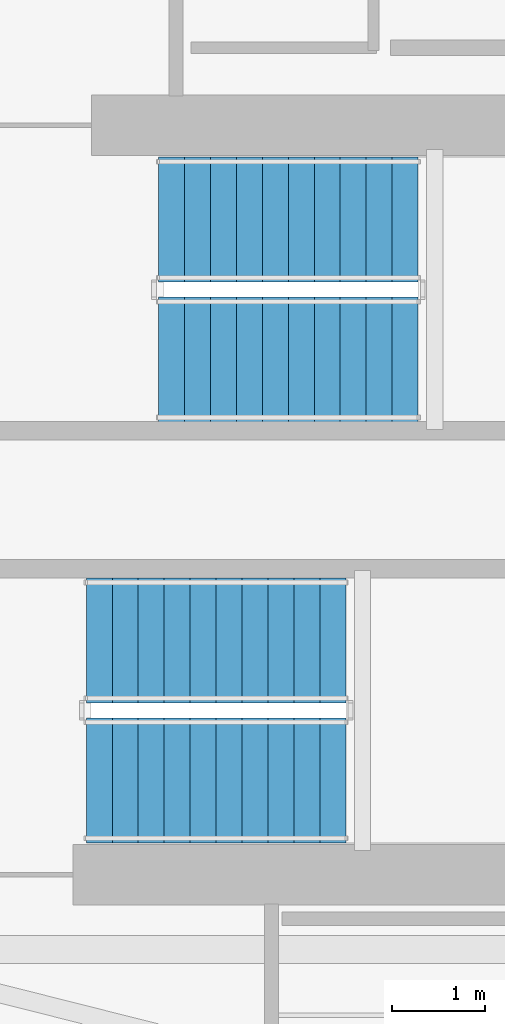
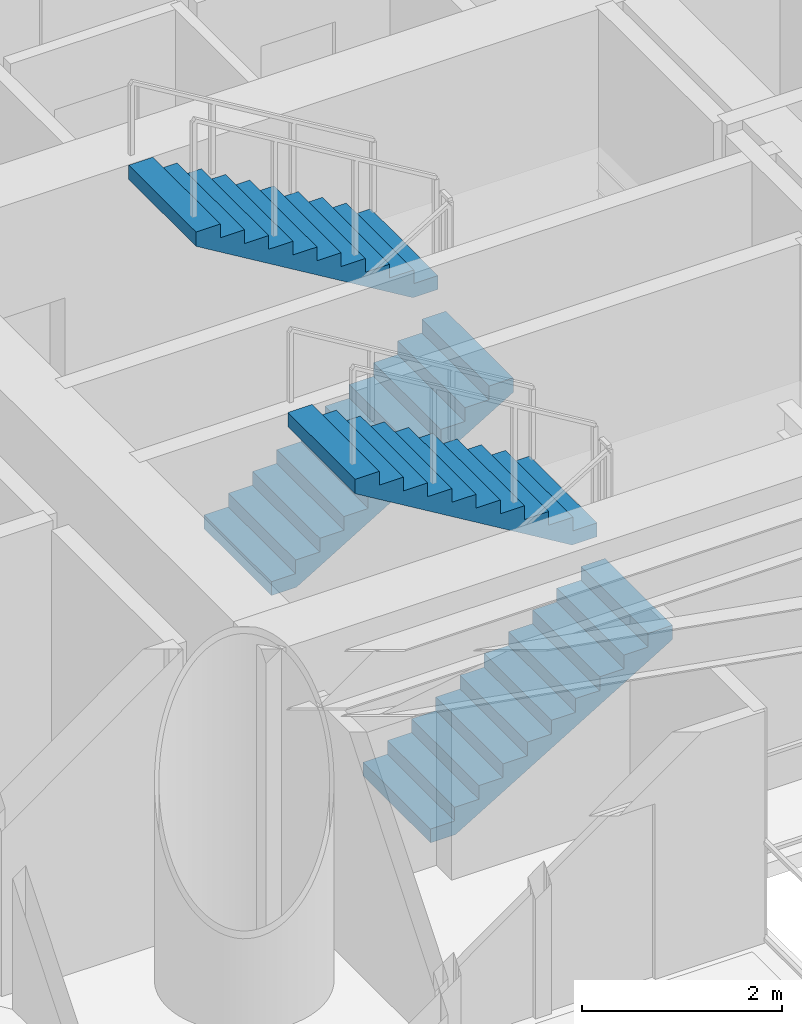
# One storey, part 18 of 22: 4 stair flights, 2 elements without a shape of their own.
"""IFC4 building model written with IfcOpenShell, lengths in metres."""

from ifc_helpers import new_model, si_unit, direction, frame, origin, place, context, subcontext, project, spatial, polyline, outline, extrude, material, type_object, element, aggregate, save


model = new_model("IFC4")

# Units and contexts
model_context = context("Model", 3, precision=1e-05, world=origin(), true_north=direction((0.0, 1.0)))
body_context = subcontext(model_context, "Body", "Model", "MODEL_VIEW")
ifc_project = project(units=[si_unit("LENGTHUNIT", "METRE"), si_unit("AREAUNIT", "SQUARE_METRE"), si_unit("VOLUMEUNIT", "CUBIC_METRE"), si_unit("PLANEANGLEUNIT", "RADIAN"), si_unit("MASSUNIT", "GRAM", prefix="KILO")], contexts=[model_context])

# Site, building, storey
site_placement = place(None, origin())
site = spatial("IfcSite", under=ifc_project, at=site_placement, CompositionType="ELEMENT")
building_placement = place(site_placement, origin())
building = spatial("IfcBuilding", under=site, at=building_placement, Name="Qianvela Tower", CompositionType="ELEMENT")
storey_placement = place(building_placement, frame((0.0, 0.0, 40.5)))
storey = spatial("IfcBuildingStorey", under=building, at=storey_placement, Name="L09", CompositionType="ELEMENT", Elevation=40.5)

# Stair, stair flights
ifc_material_1 = material(Name="Concrete C40", Category="concrete")
stair_type = type_object("IfcStairType", Name="ST-DOGLEG-1350-R168-N22", PredefinedType="HALF_TURN_STAIR", material=ifc_material_1)
stair_1_placement = place(storey_placement, origin())
stair_1 = element("IfcStair", 1, at=stair_1_placement, inside=storey, type_object=stair_type, Name="L09 Smoke-Proof Core Stair ST-1", PredefinedType="HALF_TURN_STAIR")
ifc_material_2 = material(Name="Concrete C40", Category="concrete")
stair_flight_type = type_object("IfcStairFlightType", Name="STF-STRAIGHT-R168-P11", PredefinedType="STRAIGHT", material=ifc_material_2)
stair_flight_1_placement = place(storey_placement, frame((32.199951171875, 30.215087890625, 0.0), z_axis=(0.0, 0.0, 1.0), x_axis=(1.0, 0.0, 0.0)))
stair_flight_1 = element("IfcStairFlight", 2, at=stair_flight_1_placement, type_object=stair_flight_type, Name="ST-1 flight 1", NumberOfRisers=11, NumberOfTreads=10, PredefinedType="STRAIGHT", RiserHeight=0.168181818, TreadLength=0.28, context=body_context, shape_type="SweptSolid", body=[
    extrude(outline(polyline([(0.0, 0.0), (0.0, 0.168212890625), (0.280029296875, 0.168212890625), (0.280029296875, 0.33642578125), (0.56005859375, 0.33642578125), (0.56005859375, 0.504638671875), (0.840087890625, 0.504638671875), (0.840087890625, 0.672607421875), (1.1201171875, 0.672607421875), (1.1201171875, 0.8408203125), (1.39990234375, 0.8408203125), (1.39990234375, 1.009033203125), (1.679931640625, 1.009033203125), (1.679931640625, 1.17724609375), (1.9599609375, 1.17724609375), (1.9599609375, 1.345458984375), (2.239990234375, 1.345458984375), (2.239990234375, 1.513671875), (2.52001953125, 1.513671875), (2.52001953125, 1.681884765625), (2.800048828125, 1.681884765625), (2.800048828125, 1.85009765625), (2.800048828125, 1.5068359375), (0.291015625, 0.0), (0.0, 0.0)])), frame((0.0, 0.675048828125, 0.0), z_axis=(0.0, -1.0, 0.0), x_axis=(1.0, 0.0, 0.0)), (0.0, 0.0, 1.0), 1.35009765625),
])
stair_flight_2_placement = place(storey_placement, frame((35.0, 31.72509765625, 1.85009765625), z_axis=(0.0, 0.0, 1.0), x_axis=(-1.0, 0.0, 0.0)))
stair_flight_2 = element("IfcStairFlight", 3, at=stair_flight_2_placement, type_object=stair_flight_type, Name="ST-1 flight 2", NumberOfRisers=11, NumberOfTreads=10, PredefinedType="STRAIGHT", RiserHeight=0.168181818, TreadLength=0.28, context=body_context, shape_type="SweptSolid", body=[
    extrude(outline(polyline([(0.0, 0.0), (0.0, 0.168212890625), (0.280029296875, 0.168212890625), (0.280029296875, 0.33642578125), (0.56005859375, 0.33642578125), (0.56005859375, 0.504638671875), (0.840087890625, 0.504638671875), (0.840087890625, 0.672607421875), (1.1201171875, 0.672607421875), (1.1201171875, 0.8408203125), (1.39990234375, 0.8408203125), (1.39990234375, 1.009033203125), (1.679931640625, 1.009033203125), (1.679931640625, 1.17724609375), (1.9599609375, 1.17724609375), (1.9599609375, 1.345458984375), (2.239990234375, 1.345458984375), (2.239990234375, 1.513671875), (2.52001953125, 1.513671875), (2.52001953125, 1.681884765625), (2.800048828125, 1.681884765625), (2.800048828125, 1.85009765625), (2.800048828125, 1.5068359375), (0.291015625, 0.0), (0.0, 0.0)])), frame((0.0, 0.675048828125, 0.0), z_axis=(0.0, -1.0, 0.0), x_axis=(1.0, 0.0, 0.0)), (0.0, 0.0, 1.0), 1.35009765625),
])
aggregate(stair_1, [stair_flight_1, stair_flight_2])

stair_2_placement = place(storey_placement, origin())
stair_2 = element("IfcStair", 4, at=stair_2_placement, inside=storey, type_object=stair_type, Name="L09 Smoke-Proof Core Stair ST-2", PredefinedType="HALF_TURN_STAIR")
stair_flight_3_placement = place(storey_placement, frame((31.419921875, 25.675048828125, 0.0), z_axis=(0.0, 0.0, 1.0), x_axis=(1.0, 0.0, 0.0)))
stair_flight_3 = element("IfcStairFlight", 5, at=stair_flight_3_placement, type_object=stair_flight_type, Name="ST-2 flight 1", NumberOfRisers=11, NumberOfTreads=10, PredefinedType="STRAIGHT", RiserHeight=0.168181818, TreadLength=0.28, context=body_context, shape_type="SweptSolid", body=[
    extrude(outline(polyline([(0.0, 0.0), (0.0, 0.168212890625), (0.280029296875, 0.168212890625), (0.280029296875, 0.33642578125), (0.56005859375, 0.33642578125), (0.56005859375, 0.504638671875), (0.840087890625, 0.504638671875), (0.840087890625, 0.672607421875), (1.1201171875, 0.672607421875), (1.1201171875, 0.8408203125), (1.39990234375, 0.8408203125), (1.39990234375, 1.009033203125), (1.679931640625, 1.009033203125), (1.679931640625, 1.17724609375), (1.9599609375, 1.17724609375), (1.9599609375, 1.345458984375), (2.239990234375, 1.345458984375), (2.239990234375, 1.513671875), (2.52001953125, 1.513671875), (2.52001953125, 1.681884765625), (2.800048828125, 1.681884765625), (2.800048828125, 1.85009765625), (2.800048828125, 1.5068359375), (0.291015625, 0.0), (0.0, 0.0)])), frame((0.0, 0.675048828125, 0.0), z_axis=(0.0, -1.0, 0.0), x_axis=(1.0, 0.0, 0.0)), (0.0, 0.0, 1.0), 1.35009765625),
])
stair_flight_4_placement = place(storey_placement, frame((34.219970703125, 27.18505859375, 1.85009765625), z_axis=(0.0, 0.0, 1.0), x_axis=(-1.0, 0.0, 0.0)))
stair_flight_4 = element("IfcStairFlight", 6, at=stair_flight_4_placement, type_object=stair_flight_type, Name="ST-2 flight 2", NumberOfRisers=11, NumberOfTreads=10, PredefinedType="STRAIGHT", RiserHeight=0.168181818, TreadLength=0.28, context=body_context, shape_type="SweptSolid", body=[
    extrude(outline(polyline([(0.0, 0.0), (0.0, 0.168212890625), (0.280029296875, 0.168212890625), (0.280029296875, 0.33642578125), (0.56005859375, 0.33642578125), (0.56005859375, 0.504638671875), (0.840087890625, 0.504638671875), (0.840087890625, 0.672607421875), (1.1201171875, 0.672607421875), (1.1201171875, 0.8408203125), (1.39990234375, 0.8408203125), (1.39990234375, 1.009033203125), (1.679931640625, 1.009033203125), (1.679931640625, 1.17724609375), (1.9599609375, 1.17724609375), (1.9599609375, 1.345458984375), (2.239990234375, 1.345458984375), (2.239990234375, 1.513671875), (2.52001953125, 1.513671875), (2.52001953125, 1.681884765625), (2.800048828125, 1.681884765625), (2.800048828125, 1.85009765625), (2.800048828125, 1.5068359375), (0.291015625, 0.0), (0.0, 0.0)])), frame((0.0, 0.675048828125, 0.0), z_axis=(0.0, -1.0, 0.0), x_axis=(1.0, 0.0, 0.0)), (0.0, 0.0, 1.0), 1.35009765625),
])
aggregate(stair_2, [stair_flight_3, stair_flight_4])

save(model, "model.ifc")
